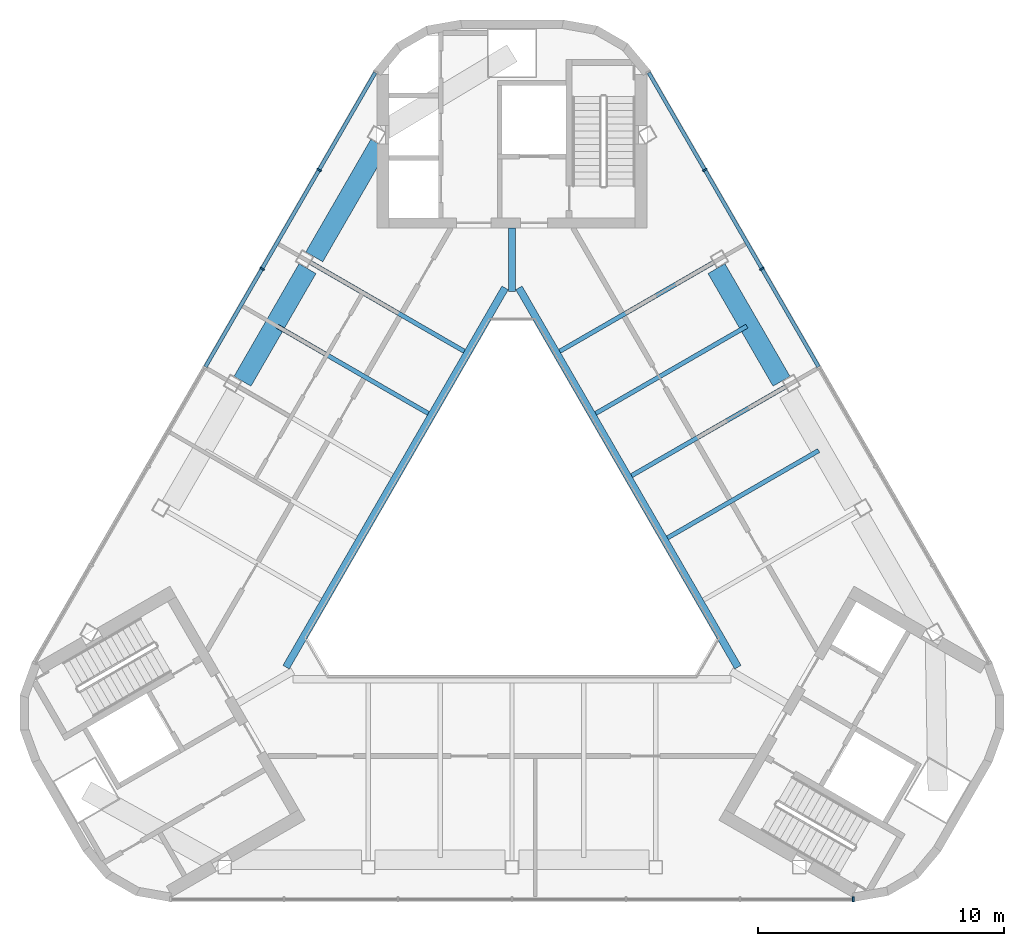
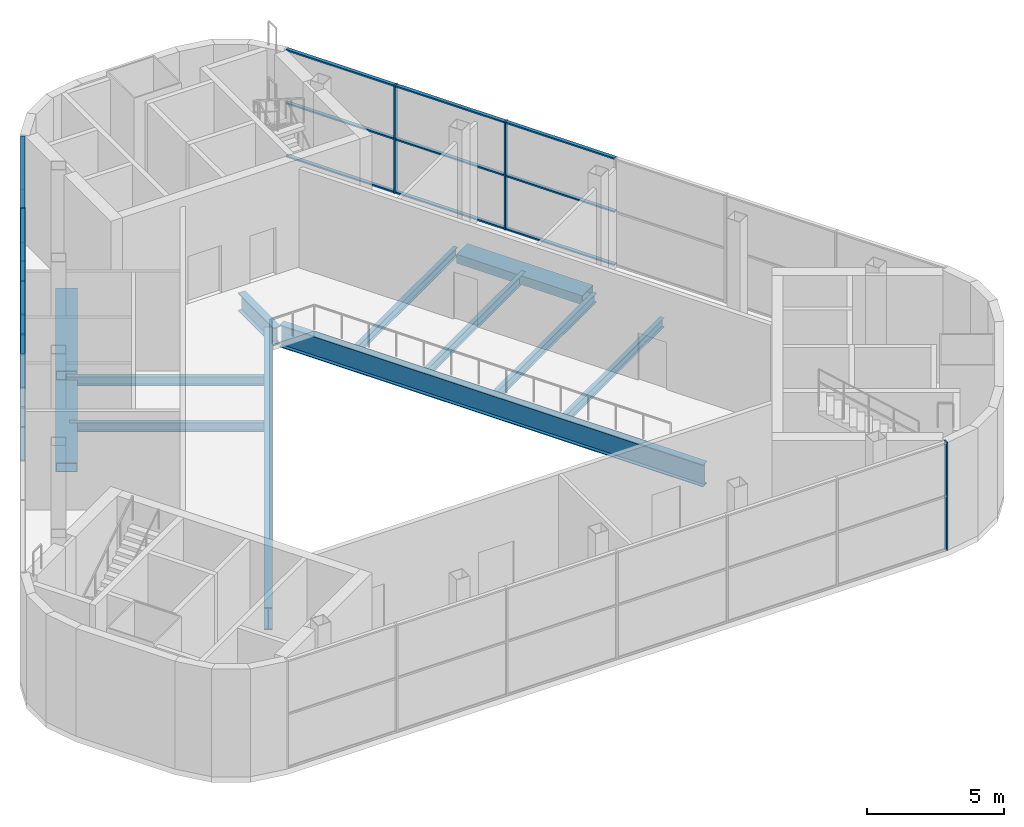
# One storey, part 3 of 11: 23 members, 12 beams, 3 elements without a shape of their own.
"""IFC4 building model written with IfcOpenShell, lengths in metres."""

import ifcopenshell
import ifcopenshell.guid

model = None  # the IFC model being written
_history = None  # IfcOwnerHistory: only IFC2X3 demands one
_inside = {}  # id of a spatial element -> (the spatial element, [elements in it])
_under = {}  # id of a project, library or spatial element -> (it, [spatial elements below it])
_declared = {}  # id of a project -> (the project, [libraries it declares])
_typed = {}  # id of a type object -> (the type object, [elements of that type])
_made_of = {}  # id of a material, layer set ... -> (it, [elements and type objects made of it])


def new_model(schema):
    """Start an empty IFC model of exactly this schema.

    Asked for "IFC4X3", IfcOpenShell would pick the latest addendum, in which some entities
    have other attributes; the version numbers below select the first issue.
    IFC2X3 requires an IfcOwnerHistory on every rooted entity: one is made here for all.
    """
    global model, _history
    if schema == "IFC4X3":
        model = ifcopenshell.file(schema_version=(4, 3, 0, 0))
    else:
        model = ifcopenshell.file(schema=schema)
    _inside.clear()
    _under.clear()
    _declared.clear()
    _typed.clear()
    _made_of.clear()
    _history = None
    if model.schema == "IFC2X3":
        org = make("IfcOrganization", Name="unknown")
        user = make(
            "IfcPersonAndOrganization",
            ThePerson=make("IfcPerson", FamilyName="unknown"),
            TheOrganization=org,
        )
        app = make(
            "IfcApplication",
            ApplicationDeveloper=org,
            Version="unknown",
            ApplicationFullName="unknown",
            ApplicationIdentifier="unknown",
        )
        _history = make(
            "IfcOwnerHistory",
            OwningUser=user,
            OwningApplication=app,
            ChangeAction="ADDED",
            CreationDate=0,
        )
    return model


def make(cls, **values):
    """One entity of the class cls with the attributes given. An attribute that is None is left unset."""
    return model.create_entity(
        cls, **{name: value for name, value in values.items() if value is not None}
    )


def rooted(cls, **values):
    """An entity with a GlobalId (a new one), such as an element, a storey or a relation."""
    return make(cls, GlobalId=ifcopenshell.guid.new(), OwnerHistory=_history, **values)


def si_unit(unit_type, name, prefix=None):
    """IfcSIUnit, for example si_unit("LENGTHUNIT", "METRE", prefix="MILLI")."""
    return make("IfcSIUnit", UnitType=unit_type, Prefix=prefix, Name=name)


def assignment(units):
    """IfcUnitAssignment: the units of a project."""
    return None if units is None else make("IfcUnitAssignment", Units=units)


def point(xyz):
    """IfcCartesianPoint."""
    return None if xyz is None else make("IfcCartesianPoint", Coordinates=xyz)


def direction(xyz):
    """IfcDirection."""
    return None if xyz is None else make("IfcDirection", DirectionRatios=xyz)


def frame(location, z_axis=None, x_axis=None):
    """IfcAxis2Placement3D, a coordinate frame: its origin and axes. An axis left out is left unset."""
    return make(
        "IfcAxis2Placement3D",
        Location=point(location),
        Axis=direction(z_axis),
        RefDirection=direction(x_axis),
    )


def frame_2d(location, x_axis=None):
    """IfcAxis2Placement2D, a coordinate frame in the plane: its origin and x axis."""
    return make(
        "IfcAxis2Placement2D", Location=point(location), RefDirection=direction(x_axis)
    )


def origin():
    """The frame at (0, 0, 0) with its axes left unset."""
    return frame((0.0, 0.0, 0.0))


def origin_2d():
    """The frame at (0, 0) in the plane with its x axis left unset."""
    return frame_2d((0.0, 0.0))


def place(relative_to, where):
    """IfcLocalPlacement: puts the frame where relative to a parent placement (None: the world)."""
    return make(
        "IfcLocalPlacement", PlacementRelTo=relative_to, RelativePlacement=where
    )


def context(
    kind, dimensions, precision=None, world=None, true_north=None, identifier=None
):
    """IfcGeometricRepresentationContext, for example the 3D "Model" context."""
    return make(
        "IfcGeometricRepresentationContext",
        ContextIdentifier=identifier,
        ContextType=kind,
        CoordinateSpaceDimension=dimensions,
        Precision=precision,
        WorldCoordinateSystem=world,
        TrueNorth=true_north,
    )


def subcontext(parent, identifier, kind, view, scale=None):
    """IfcGeometricRepresentationSubContext, for example "Body" below "Model"."""
    return make(
        "IfcGeometricRepresentationSubContext",
        ContextIdentifier=identifier,
        ContextType=kind,
        ParentContext=parent,
        TargetScale=scale,
        TargetView=view,
    )


def project(units=None, contexts=None):
    """IfcProject with its units and contexts."""
    return rooted(
        "IfcProject",
        Name="project",
        RepresentationContexts=contexts,
        UnitsInContext=assignment(units),
    )


def spatial(cls, under=None, at=None, **own):
    """A site, building, storey or space (cls), placed at a placement, below another one or the project."""
    s = rooted(cls, ObjectPlacement=at, **own)
    if under is not None:
        _under.setdefault(under.id(), (under, []))[1].append(s)
    return s


def profile(cls, at=None, kind="AREA", **sizes):
    """A parametric profile (cls). Its sizes go by their IFC names, for example OverallWidth=200.0."""
    return make(cls, ProfileType=kind, Position=at, **sizes)


def rectangle(**sizes):
    """IfcRectangleProfileDef."""
    return profile("IfcRectangleProfileDef", **sizes)


def hollow_rectangle(**sizes):
    """IfcRectangleHollowProfileDef."""
    return profile("IfcRectangleHollowProfileDef", **sizes)


def i_section(**sizes):
    """IfcIShapeProfileDef."""
    return profile("IfcIShapeProfileDef", **sizes)


def extrude(swept, where, along, depth):
    """IfcExtrudedAreaSolid: the profile swept, set in the frame where, extruded along a direction by depth."""
    return make(
        "IfcExtrudedAreaSolid",
        SweptArea=swept,
        Position=where,
        ExtrudedDirection=direction(along),
        Depth=depth,
    )


def shape(context_of_items, identifier, shape_type, items):
    """IfcShapeRepresentation: the items that make up one representation, for example the "Body"."""
    return make(
        "IfcShapeRepresentation",
        ContextOfItems=context_of_items,
        RepresentationIdentifier=identifier,
        RepresentationType=shape_type,
        Items=items,
    )


def material(Name=None, Category=None):
    """IfcMaterial."""
    return make("IfcMaterial", Name=Name, Category=Category)


def layer(
    of_material, thickness, ventilated=None, Name=None, Category=None, Priority=None
):
    """IfcMaterialLayer: one layer of a wall or slab, of a material (None: an air gap)."""
    return make(
        "IfcMaterialLayer",
        Material=of_material,
        LayerThickness=thickness,
        IsVentilated=ventilated,
        Name=Name,
        Category=Category,
        Priority=Priority,
    )


def layer_set(layers, Name=None):
    """IfcMaterialLayerSet."""
    return make("IfcMaterialLayerSet", MaterialLayers=layers, LayerSetName=Name)


def material_profile(
    of_material, cross_section, Name=None, Category=None, Priority=None
):
    """IfcMaterialProfile: a cross section and its material."""
    return make(
        "IfcMaterialProfile",
        Name=Name,
        Material=of_material,
        Profile=cross_section,
        Priority=Priority,
        Category=Category,
    )


def profile_set(profiles, Name=None, composite=None):
    """IfcMaterialProfileSet."""
    return make(
        "IfcMaterialProfileSet",
        Name=Name,
        MaterialProfiles=profiles,
        CompositeProfile=composite,
    )


def made_of(thing, what):
    """Note that an element or type object is made of a material, layer set ...; save() writes the relation."""
    if what is not None:
        _made_of.setdefault(what.id(), (what, []))[1].append(thing)
    return thing


def type_object(cls, material=None, **own):
    """A type object (cls), such as IfcWallType, which elements share."""
    return made_of(rooted(cls, **own), material)


def element(
    cls,
    number,
    at=None,
    inside=None,
    cuts=None,
    type_object=None,
    material=None,
    context=None,
    identifier="Body",
    shape_type=None,
    held_by="IfcProductDefinitionShape",
    body=None,
    shapes=None,
    **own,
):
    """One element of the class cls, such as IfcWall. Its Tag is "e" and its number.

    at: its placement. inside: the storey or other place that contains it. cuts: it is an
    opening in that element (IfcRelVoidsElement). A single representation is given by context,
    identifier, shape_type and body (its items); several are given by shapes. held_by: the class
    of the entity that holds the representations. save() writes the other relations.
    """
    e = rooted(cls, Tag="e%d" % number, ObjectPlacement=at, **own)
    if body is not None:
        shapes = [shape(context, identifier, shape_type, body)]
    if shapes is not None:
        e.Representation = make(held_by, Representations=shapes)
    if inside is not None:
        _inside.setdefault(inside.id(), (inside, []))[1].append(e)
    if cuts is not None:
        rooted(
            "IfcRelVoidsElement", RelatingBuildingElement=cuts, RelatedOpeningElement=e
        )
    if type_object is not None:
        _typed.setdefault(type_object.id(), (type_object, []))[1].append(e)
    return made_of(e, material)


def aggregate(whole, parts):
    """IfcRelAggregates: a whole, such as a stair, and the parts it consists of."""
    return rooted("IfcRelAggregates", RelatingObject=whole, RelatedObjects=parts)


def save(model, path):
    """Write the relations noted so far, then the file.

    IfcRelAggregates (storeys below a building ...), IfcRelContainedInSpatialStructure (elements
    in a storey), IfcRelDefinesByType, IfcRelAssociatesMaterial and IfcRelDeclares: one each for
    every whole, place, type object, material and project.
    """
    for whole, parts in _under.values():
        aggregate(whole, parts)
    for where, things in _inside.values():
        rooted(
            "IfcRelContainedInSpatialStructure",
            RelatedElements=things,
            RelatingStructure=where,
        )
    for kind, things in _typed.values():
        rooted("IfcRelDefinesByType", RelatedObjects=things, RelatingType=kind)
    for what, things in _made_of.values():
        rooted("IfcRelAssociatesMaterial", RelatedObjects=things, RelatingMaterial=what)
    for by, libraries in _declared.values():
        rooted("IfcRelDeclares", RelatingContext=by, RelatedDefinitions=libraries)
    model.write(path)


model = new_model("IFC4")

# Units and contexts
model_context = context("Model", 3, precision=1e-05, world=origin(), true_north=direction((0.0, 1.0)))
body_context = subcontext(model_context, "Body", "Model", "MODEL_VIEW")
ifc_project = project(units=[si_unit("LENGTHUNIT", "METRE"), si_unit("AREAUNIT", "SQUARE_METRE"), si_unit("VOLUMEUNIT", "CUBIC_METRE"), si_unit("PLANEANGLEUNIT", "RADIAN"), si_unit("MASSUNIT", "GRAM", prefix="KILO")], contexts=[model_context])

# Site, building, storey
site_placement = place(None, origin())
site = spatial("IfcSite", under=ifc_project, at=site_placement, CompositionType="ELEMENT")
building_placement = place(site_placement, origin())
building = spatial("IfcBuilding", under=site, at=building_placement, Name="Apuvela Tower Hotel", CompositionType="ELEMENT")
storey_placement = place(building_placement, frame((0.0, 0.0, 338.300048828125)))
storey = spatial("IfcBuildingStorey", under=building, at=storey_placement, Name="L84", CompositionType="ELEMENT", Elevation=338.300048828125)

# Curtain wall, member
ifc_material_1 = material(Name="Aluminium 6063-T6, dark bronze anodised", Category="aluminium")
ifc_layer = layer(ifc_material_1, 0.199951171875)
ifc_layer_set = layer_set([ifc_layer], Name="ENV-CW-L")
curtain_wall_type = type_object("IfcCurtainWallType", Name="ENV-CW-L", PredefinedType="NOTDEFINED", material=ifc_layer_set)
curtain_wall_1_placement = place(storey_placement, origin())
curtain_wall_1 = element("IfcCurtainWall", 1, at=curtain_wall_1_placement, inside=storey, type_object=curtain_wall_type, Name="Curtain wall CW-L S L84", PredefinedType="NOTDEFINED")
ifc_material_profile_1 = material_profile(ifc_material_1, rectangle(XDim=0.199951171875, YDim=0.06494140625, at=origin_2d()), Name="AL 65x200")
ifc_profile_set_1 = profile_set([ifc_material_profile_1], Name="Aluminium 6063-T6, dark bronze anodised")
member_type_1 = type_object("IfcMemberType", Name="ENV-MULLION-65x200", PredefinedType="MULLION", material=ifc_profile_set_1)
member_1_placement = place(storey_placement, frame((13.89111328125, -14.42626953125, 0.0), z_axis=(0.0, 0.0, 1.0), x_axis=(0.0, 1.0, 0.0)))
member_1 = element("IfcMember", 2, at=member_1_placement, type_object=member_type_1, Name="CW-L mullion 7", PredefinedType="MULLION", context=body_context, shape_type="SweptSolid", body=[
    extrude(rectangle(XDim=0.199951171875, YDim=0.06494140625, at=origin_2d()), origin(), (0.0, 0.0, 1.0), 4.800048828125),
])
aggregate(curtain_wall_1, [member_1])

# Curtain wall, members
curtain_wall_2_placement = place(storey_placement, origin())
curtain_wall_2 = element("IfcCurtainWall", 3, at=curtain_wall_2_placement, inside=storey, type_object=curtain_wall_type, Name="Curtain wall CW-L NE L84", PredefinedType="NOTDEFINED")
member_2_placement = place(storey_placement, frame((10.1728515625, 11.232421875, 0.0), z_axis=(0.0, 0.0, 1.0), x_axis=(-0.866025800323, -0.499999313174, 0.0)))
member_2 = element("IfcMember", 4, at=member_2_placement, type_object=member_type_1, Name="CW-L mullion 5", PredefinedType="MULLION", context=body_context, shape_type="SweptSolid", body=[
    extrude(rectangle(XDim=0.199951171875, YDim=0.06494140625, at=origin_2d()), origin(), (0.0, 0.0, 1.0), 4.800048828125),
])
member_3_placement = place(storey_placement, frame((7.852294921875, 15.251953125, 0.0), z_axis=(0.0, 0.0, 1.0), x_axis=(-0.866025800323, -0.499999313174, 0.0)))
member_3 = element("IfcMember", 5, at=member_3_placement, type_object=member_type_1, Name="CW-L mullion 6", PredefinedType="MULLION", context=body_context, shape_type="SweptSolid", body=[
    extrude(rectangle(XDim=0.199951171875, YDim=0.06494140625, at=origin_2d()), origin(), (0.0, 0.0, 1.0), 4.800048828125),
])

curtain_wall_3_placement = place(storey_placement, origin())
curtain_wall_3 = element("IfcCurtainWall", 6, at=curtain_wall_3_placement, inside=storey, type_object=curtain_wall_type, Name="Curtain wall CW-L NW L84", PredefinedType="NOTDEFINED")
member_4_placement = place(storey_placement, frame((-7.852294921875, 15.251953125, 0.0), z_axis=(0.0, 0.0, 1.0), x_axis=(0.866025800323, -0.499999313174, 0.0)))
member_4 = element("IfcMember", 7, at=member_4_placement, type_object=member_type_1, Name="CW-L mullion 2", PredefinedType="MULLION", context=body_context, shape_type="SweptSolid", body=[
    extrude(rectangle(XDim=0.199951171875, YDim=0.06494140625, at=origin_2d()), origin(), (0.0, 0.0, 1.0), 4.800048828125),
])
member_5_placement = place(storey_placement, frame((-10.1728515625, 11.232421875, 0.0), z_axis=(0.0, 0.0, 1.0), x_axis=(0.866025800323, -0.499999313174, 0.0)))
member_5 = element("IfcMember", 8, at=member_5_placement, type_object=member_type_1, Name="CW-L mullion 3", PredefinedType="MULLION", context=body_context, shape_type="SweptSolid", body=[
    extrude(rectangle(XDim=0.199951171875, YDim=0.06494140625, at=origin_2d()), origin(), (0.0, 0.0, 1.0), 4.800048828125),
])

# Member
ifc_material_profile_2 = material_profile(ifc_material_1, rectangle(XDim=0.14990234375, YDim=0.06494140625, at=origin_2d()), Name="AL 65x150 transom")
ifc_profile_set_2 = profile_set([ifc_material_profile_2], Name="Aluminium 6063-T6, dark bronze anodised")
member_type_2 = type_object("IfcMemberType", Name="ENV-TRANSOM-65x150", PredefinedType="USERDEFINED", material=ifc_profile_set_2)
member_6_placement = place(storey_placement, frame((12.477294921875, 7.2412109375, 0.032470703125), z_axis=(-0.500034932695, 0.866005234444, 0.0), x_axis=(-0.866005234444, -0.500034932695, 0.0)))
member_6 = element("IfcMember", 9, at=member_6_placement, type_object=member_type_2, Name="CW-L transom 4.1", ObjectType="TRANSOM", PredefinedType="USERDEFINED", context=body_context, shape_type="SweptSolid", body=[
    extrude(rectangle(XDim=0.14990234375, YDim=0.06494140625, at=origin_2d()), origin(), (0.0, 0.0, 1.0), 4.576416015625),
])

member_7_placement = place(storey_placement, frame((12.477294921875, 7.2412109375, 2.39990234375), z_axis=(-0.500034932695, 0.866005234444, 0.0), x_axis=(-0.866005234444, -0.500034932695, 0.0)))
member_7 = element("IfcMember", 10, at=member_7_placement, type_object=member_type_2, Name="CW-L transom 4.2", ObjectType="TRANSOM", PredefinedType="USERDEFINED", context=body_context, shape_type="SweptSolid", body=[
    extrude(rectangle(XDim=0.14990234375, YDim=0.06494140625, at=origin_2d()), origin(), (0.0, 0.0, 1.0), 4.576416015625),
])

member_8_placement = place(storey_placement, frame((12.477294921875, 7.2412109375, 4.767333984375), z_axis=(-0.500034932695, 0.866005234444, 0.0), x_axis=(-0.866005234444, -0.500034932695, 0.0)))
member_8 = element("IfcMember", 11, at=member_8_placement, type_object=member_type_2, Name="CW-L transom 4.3", ObjectType="TRANSOM", PredefinedType="USERDEFINED", context=body_context, shape_type="SweptSolid", body=[
    extrude(rectangle(XDim=0.14990234375, YDim=0.06494140625, at=origin_2d()), origin(), (0.0, 0.0, 1.0), 4.576416015625),
])

member_9_placement = place(storey_placement, frame((10.156494140625, 11.2607421875, 0.032470703125), z_axis=(-0.499994921628, 0.866028335764, 0.0), x_axis=(-0.866028335764, -0.499994921628, 0.0)))
member_9 = element("IfcMember", 12, at=member_9_placement, type_object=member_type_2, Name="CW-L transom 5.1", ObjectType="TRANSOM", PredefinedType="USERDEFINED", context=body_context, shape_type="SweptSolid", body=[
    extrude(rectangle(XDim=0.14990234375, YDim=0.06494140625, at=origin_2d()), origin(), (0.0, 0.0, 1.0), 4.576171875),
])

member_10_placement = place(storey_placement, frame((10.156494140625, 11.2607421875, 2.39990234375), z_axis=(-0.499994921628, 0.866028335764, 0.0), x_axis=(-0.866028335764, -0.499994921628, 0.0)))
member_10 = element("IfcMember", 13, at=member_10_placement, type_object=member_type_2, Name="CW-L transom 5.2", ObjectType="TRANSOM", PredefinedType="USERDEFINED", context=body_context, shape_type="SweptSolid", body=[
    extrude(rectangle(XDim=0.14990234375, YDim=0.06494140625, at=origin_2d()), origin(), (0.0, 0.0, 1.0), 4.576171875),
])

member_11_placement = place(storey_placement, frame((10.156494140625, 11.2607421875, 4.767333984375), z_axis=(-0.499994921628, 0.866028335764, 0.0), x_axis=(-0.866028335764, -0.499994921628, 0.0)))
member_11 = element("IfcMember", 14, at=member_11_placement, type_object=member_type_2, Name="CW-L transom 5.3", ObjectType="TRANSOM", PredefinedType="USERDEFINED", context=body_context, shape_type="SweptSolid", body=[
    extrude(rectangle(XDim=0.14990234375, YDim=0.06494140625, at=origin_2d()), origin(), (0.0, 0.0, 1.0), 4.576171875),
])

member_12_placement = place(storey_placement, frame((7.8359375, 15.280029296875, 0.032470703125), z_axis=(-0.499970515737, 0.866042425862, 0.0), x_axis=(-0.866042425862, -0.499970515737, 0.0)))
member_12 = element("IfcMember", 15, at=member_12_placement, type_object=member_type_2, Name="CW-L transom 6.1", ObjectType="TRANSOM", PredefinedType="USERDEFINED", context=body_context, shape_type="SweptSolid", body=[
    extrude(rectangle(XDim=0.14990234375, YDim=0.06494140625, at=origin_2d()), origin(), (0.0, 0.0, 1.0), 4.543701171875),
])

member_13_placement = place(storey_placement, frame((7.8359375, 15.280029296875, 2.39990234375), z_axis=(-0.499970515737, 0.866042425862, 0.0), x_axis=(-0.866042425862, -0.499970515737, 0.0)))
member_13 = element("IfcMember", 16, at=member_13_placement, type_object=member_type_2, Name="CW-L transom 6.2", ObjectType="TRANSOM", PredefinedType="USERDEFINED", context=body_context, shape_type="SweptSolid", body=[
    extrude(rectangle(XDim=0.14990234375, YDim=0.06494140625, at=origin_2d()), origin(), (0.0, 0.0, 1.0), 4.543701171875),
])

member_14_placement = place(storey_placement, frame((7.8359375, 15.280029296875, 4.767333984375), z_axis=(-0.499970515737, 0.866042425862, 0.0), x_axis=(-0.866042425862, -0.499970515737, 0.0)))
member_14 = element("IfcMember", 17, at=member_14_placement, type_object=member_type_2, Name="CW-L transom 6.3", ObjectType="TRANSOM", PredefinedType="USERDEFINED", context=body_context, shape_type="SweptSolid", body=[
    extrude(rectangle(XDim=0.14990234375, YDim=0.06494140625, at=origin_2d()), origin(), (0.0, 0.0, 1.0), 4.543701171875),
])

aggregate(curtain_wall_2, [member_2, member_3, member_6, member_7, member_8, member_9, member_10, member_11, member_12, member_13, member_14])

member_15_placement = place(storey_placement, frame((-5.564208984375, 19.215087890625, 0.032470703125), z_axis=(-0.499970515737, -0.866042425862, 0.0), x_axis=(0.866042425862, -0.499970515737, 0.0)))
member_15 = element("IfcMember", 18, at=member_15_placement, type_object=member_type_2, Name="CW-L transom 1.1", ObjectType="TRANSOM", PredefinedType="USERDEFINED", context=body_context, shape_type="SweptSolid", body=[
    extrude(rectangle(XDim=0.14990234375, YDim=0.06494140625, at=origin_2d()), origin(), (0.0, 0.0, 1.0), 4.543701171875),
])

member_16_placement = place(storey_placement, frame((-5.564208984375, 19.215087890625, 2.39990234375), z_axis=(-0.499970515737, -0.866042425862, 0.0), x_axis=(0.866042425862, -0.499970515737, 0.0)))
member_16 = element("IfcMember", 19, at=member_16_placement, type_object=member_type_2, Name="CW-L transom 1.2", ObjectType="TRANSOM", PredefinedType="USERDEFINED", context=body_context, shape_type="SweptSolid", body=[
    extrude(rectangle(XDim=0.14990234375, YDim=0.06494140625, at=origin_2d()), origin(), (0.0, 0.0, 1.0), 4.543701171875),
])

member_17_placement = place(storey_placement, frame((-5.564208984375, 19.215087890625, 4.767333984375), z_axis=(-0.499970515737, -0.866042425862, 0.0), x_axis=(0.866042425862, -0.499970515737, 0.0)))
member_17 = element("IfcMember", 20, at=member_17_placement, type_object=member_type_2, Name="CW-L transom 1.3", ObjectType="TRANSOM", PredefinedType="USERDEFINED", context=body_context, shape_type="SweptSolid", body=[
    extrude(rectangle(XDim=0.14990234375, YDim=0.06494140625, at=origin_2d()), origin(), (0.0, 0.0, 1.0), 4.543701171875),
])

member_18_placement = place(storey_placement, frame((-7.868408203125, 15.223876953125, 0.032470703125), z_axis=(-0.499994921628, -0.866028335764, 0.0), x_axis=(0.866028335764, -0.499994921628, 0.0)))
member_18 = element("IfcMember", 21, at=member_18_placement, type_object=member_type_2, Name="CW-L transom 2.1", ObjectType="TRANSOM", PredefinedType="USERDEFINED", context=body_context, shape_type="SweptSolid", body=[
    extrude(rectangle(XDim=0.14990234375, YDim=0.06494140625, at=origin_2d()), origin(), (0.0, 0.0, 1.0), 4.576171875),
])

member_19_placement = place(storey_placement, frame((-7.868408203125, 15.223876953125, 2.39990234375), z_axis=(-0.499994921628, -0.866028335764, 0.0), x_axis=(0.866028335764, -0.499994921628, 0.0)))
member_19 = element("IfcMember", 22, at=member_19_placement, type_object=member_type_2, Name="CW-L transom 2.2", ObjectType="TRANSOM", PredefinedType="USERDEFINED", context=body_context, shape_type="SweptSolid", body=[
    extrude(rectangle(XDim=0.14990234375, YDim=0.06494140625, at=origin_2d()), origin(), (0.0, 0.0, 1.0), 4.576171875),
])

member_20_placement = place(storey_placement, frame((-7.868408203125, 15.223876953125, 4.767333984375), z_axis=(-0.499994921628, -0.866028335764, 0.0), x_axis=(0.866028335764, -0.499994921628, 0.0)))
member_20 = element("IfcMember", 23, at=member_20_placement, type_object=member_type_2, Name="CW-L transom 2.3", ObjectType="TRANSOM", PredefinedType="USERDEFINED", context=body_context, shape_type="SweptSolid", body=[
    extrude(rectangle(XDim=0.14990234375, YDim=0.06494140625, at=origin_2d()), origin(), (0.0, 0.0, 1.0), 4.576171875),
])

member_21_placement = place(storey_placement, frame((-10.18896484375, 11.204345703125, 0.032470703125), z_axis=(-0.500034932695, -0.866005234444, 0.0), x_axis=(0.866005234444, -0.500034932695, 0.0)))
member_21 = element("IfcMember", 24, at=member_21_placement, type_object=member_type_2, Name="CW-L transom 3.1", ObjectType="TRANSOM", PredefinedType="USERDEFINED", context=body_context, shape_type="SweptSolid", body=[
    extrude(rectangle(XDim=0.14990234375, YDim=0.06494140625, at=origin_2d()), origin(), (0.0, 0.0, 1.0), 4.576416015625),
])

member_22_placement = place(storey_placement, frame((-10.18896484375, 11.204345703125, 2.39990234375), z_axis=(-0.500034932695, -0.866005234444, 0.0), x_axis=(0.866005234444, -0.500034932695, 0.0)))
member_22 = element("IfcMember", 25, at=member_22_placement, type_object=member_type_2, Name="CW-L transom 3.2", ObjectType="TRANSOM", PredefinedType="USERDEFINED", context=body_context, shape_type="SweptSolid", body=[
    extrude(rectangle(XDim=0.14990234375, YDim=0.06494140625, at=origin_2d()), origin(), (0.0, 0.0, 1.0), 4.576416015625),
])

member_23_placement = place(storey_placement, frame((-10.18896484375, 11.204345703125, 4.767333984375), z_axis=(-0.500034932695, -0.866005234444, 0.0), x_axis=(0.866005234444, -0.500034932695, 0.0)))
member_23 = element("IfcMember", 26, at=member_23_placement, type_object=member_type_2, Name="CW-L transom 3.3", ObjectType="TRANSOM", PredefinedType="USERDEFINED", context=body_context, shape_type="SweptSolid", body=[
    extrude(rectangle(XDim=0.14990234375, YDim=0.06494140625, at=origin_2d()), origin(), (0.0, 0.0, 1.0), 4.576416015625),
])

aggregate(curtain_wall_3, [member_4, member_5, member_15, member_16, member_17, member_18, member_19, member_20, member_21, member_22, member_23])

# Beams
ifc_material_2 = material(Name="Steel S355", Category="steel")
ifc_material_profile_3 = material_profile(ifc_material_2, i_section(OverallWidth=0.179931640625, OverallDepth=0.39990234375, WebThickness=0.008544921875, FlangeThickness=0.013427734375, at=origin_2d()), Name="IPE 400")
ifc_profile_set_3 = profile_set([ifc_material_profile_3], Name="Steel S355")
beam_type_1 = type_object("IfcBeamType", Name="STR-B floor beam IPE 400", PredefinedType="BEAM", material=ifc_profile_set_3)
beam_1_placement = place(storey_placement, frame((12.482666015625, 3.831787109375, -0.449951171875), z_axis=(-0.866014517387, -0.50001885532, 0.0), x_axis=(0.50001885532, -0.866014517387, 0.0)))
element("IfcBeam", 27, at=beam_1_placement, inside=storey, type_object=beam_type_1, Name="Floor beam B2 NE4", PredefinedType="BEAM", context=body_context, shape_type="SweptSolid", body=[
    extrude(i_section(OverallWidth=0.179931640625, OverallDepth=0.39990234375, WebThickness=0.008544921875, FlangeThickness=0.013427734375, at=origin_2d()), origin(), (0.0, 0.0, 1.0), 7.106201171875),
])
beam_2_placement = place(storey_placement, frame((11.12939453125, 6.425537109375, -0.449951171875), z_axis=(-0.866025906777, -0.49999912879, 0.0), x_axis=(0.49999912879, -0.866025906777, 0.0)))
element("IfcBeam", 28, at=beam_2_placement, inside=storey, type_object=beam_type_1, Name="Floor beam B2 NE5", PredefinedType="BEAM", context=body_context, shape_type="SweptSolid", body=[
    extrude(i_section(OverallWidth=0.179931640625, OverallDepth=0.39990234375, WebThickness=0.008544921875, FlangeThickness=0.013427734375, at=origin_2d()), origin(), (0.0, 0.0, 1.0), 7.23095703125),
])
beam_3_placement = place(storey_placement, frame((9.559814453125, 8.89453125, -0.449951171875), z_axis=(-0.866023106679, -0.500003978682, 0.0), x_axis=(0.500003978682, -0.866023106679, 0.0)))
element("IfcBeam", 29, at=beam_3_placement, inside=storey, type_object=beam_type_1, Name="Floor beam B2 NE6", PredefinedType="BEAM", context=body_context, shape_type="SweptSolid", body=[
    extrude(i_section(OverallWidth=0.179931640625, OverallDepth=0.39990234375, WebThickness=0.008544921875, FlangeThickness=0.013427734375, at=origin_2d()), origin(), (0.0, 0.0, 1.0), 7.1064453125),
])
for number, where, z_axis, x_axis, name in (
    (30, (8.20654296875, 11.48828125, -0.449951171875), (-0.866034347176, -0.499984509272, 0.0), (0.499984509272, -0.866034347176, 0.0), "Floor beam B2 NE7"),
    (31, (-8.20654296875, 11.48828125, -0.449951171875), (0.866034347176, -0.499984509272, 0.0), (0.499984509272, 0.866034347176, 0.0), "Floor beam B2 NW3"),
):
    element("IfcBeam", number, at=place(storey_placement, frame(where, z_axis=z_axis, x_axis=x_axis)), inside=storey, type_object=beam_type_1, Name=name, PredefinedType="BEAM", context=body_context, shape_type="SweptSolid", body=[
        extrude(i_section(OverallWidth=0.179931640625, OverallDepth=0.39990234375, WebThickness=0.008544921875, FlangeThickness=0.013427734375, at=origin_2d()), origin(), (0.0, 0.0, 1.0), 7.231201171875),
    ])
beam_4_placement = place(storey_placement, frame((-9.559814453125, 8.89453125, -0.449951171875), z_axis=(0.866023106679, -0.500003978682, 0.0), x_axis=(0.500003978682, 0.866023106679, 0.0)))
element("IfcBeam", 32, at=beam_4_placement, inside=storey, type_object=beam_type_1, Name="Floor beam B2 NW4", PredefinedType="BEAM", context=body_context, shape_type="SweptSolid", body=[
    extrude(i_section(OverallWidth=0.179931640625, OverallDepth=0.39990234375, WebThickness=0.008544921875, FlangeThickness=0.013427734375, at=origin_2d()), origin(), (0.0, 0.0, 1.0), 7.1064453125),
])
ifc_material_profile_4 = material_profile(ifc_material_2, i_section(OverallWidth=0.300048828125, OverallDepth=0.989990234375, WebThickness=0.0166015625, FlangeThickness=0.031005859375, at=origin_2d()), Name="HE 1000 A")
ifc_profile_set_4 = profile_set([ifc_material_profile_4], Name="Steel S355")
beam_type_2 = type_object("IfcBeamType", Name="STR-G atrium ring girder HE 1000 A", PredefinedType="BEAM", material=ifc_profile_set_4)
for number, where, z_axis, x_axis, name in (
    (33, (-0.27978515625, 10.455078125, -0.7451171875), (-0.500006541319, -0.866021627119, 0.0), (0.866021627119, -0.500006541319, 0.0), "Atrium ring girder G3 N-SW"),
    (34, (9.1943359375, -4.985107421875, -0.7451171875), (-0.500006541319, 0.866021627119, 0.0), (-0.866021627119, -0.500006541319, 0.0), "Atrium ring girder G3 SE-N"),
):
    element("IfcBeam", number, at=place(storey_placement, frame(where, z_axis=z_axis, x_axis=x_axis)), inside=storey, type_object=beam_type_2, Name=name, PredefinedType="BEAM", context=body_context, shape_type="SweptSolid", body=[
        extrude(i_section(OverallWidth=0.300048828125, OverallDepth=0.989990234375, WebThickness=0.0166015625, FlangeThickness=0.031005859375, at=origin_2d()), origin(), (0.0, 0.0, 1.0), 17.828857421875),
    ])
ifc_material_profile_5 = material_profile(ifc_material_2, i_section(OverallWidth=0.300048828125, OverallDepth=0.800048828125, WebThickness=0.017578125, FlangeThickness=0.032958984375, at=origin_2d()), Name="HE 800 B")
ifc_profile_set_5 = profile_set([ifc_material_profile_5], Name="Steel S355")
beam_type_3 = type_object("IfcBeamType", Name="STR-GT core tie beam HE 800 B", PredefinedType="BEAM", material=ifc_profile_set_5)
beam_5_placement = place(storey_placement, frame((0.0, 12.89990234375, -0.650146484375), z_axis=(0.0, -1.0, 0.0), x_axis=(1.0, 0.0, 0.0)))
element("IfcBeam", 35, at=beam_5_placement, inside=storey, type_object=beam_type_3, Name="Core tie beam GT1 N", PredefinedType="BEAM", context=body_context, shape_type="SweptSolid", body=[
    extrude(i_section(OverallWidth=0.300048828125, OverallDepth=0.800048828125, WebThickness=0.017578125, FlangeThickness=0.032958984375, at=origin_2d()), origin(), (0.0, 0.0, 1.0), 2.599853515625),
])
ifc_material_3 = material(Name="Steel S460", Category="steel")
ifc_material_profile_6 = material_profile(ifc_material_3, hollow_rectangle(XDim=0.800048828125, YDim=0.39990234375, WallThickness=0.02490234375, at=origin_2d()), Name="BOX 800x400x25")
ifc_profile_set_6 = profile_set([ifc_material_profile_6], Name="Steel S460")
beam_type_4 = type_object("IfcBeamType", Name="STR-RB perimeter ring beam BOX 800x400x25", PredefinedType="SPANDREL", material=ifc_profile_set_6)
for number, where, z_axis, x_axis, name in (
    (36, (10.97021484375, 6.6513671875, -0.449951171875), (-0.499996467947, 0.866027443007, 0.0), (-0.866027443007, -0.499996467947, 0.0), "Ring beam RB1 NE3"),
    (37, (-5.3994140625, 16.300537109375, -0.449951171875), (-0.499996467947, -0.866027443007, 0.0), (0.866027443007, -0.499996467947, 0.0), "Ring beam RB1 NW1"),
    (38, (-8.322265625, 11.23779296875, -0.449951171875), (-0.499996467947, -0.866027443007, 0.0), (0.866027443007, -0.499996467947, 0.0), "Ring beam RB1 NW2"),
):
    element("IfcBeam", number, at=place(storey_placement, frame(where, z_axis=z_axis, x_axis=x_axis)), inside=storey, type_object=beam_type_4, Name=name, PredefinedType="SPANDREL", context=body_context, shape_type="SweptSolid", body=[
        extrude(hollow_rectangle(XDim=0.800048828125, YDim=0.39990234375, WallThickness=0.02490234375, at=origin_2d()), origin(), (0.0, 0.0, 1.0), 5.2958984375),
    ])

save(model, "model.ifc")
